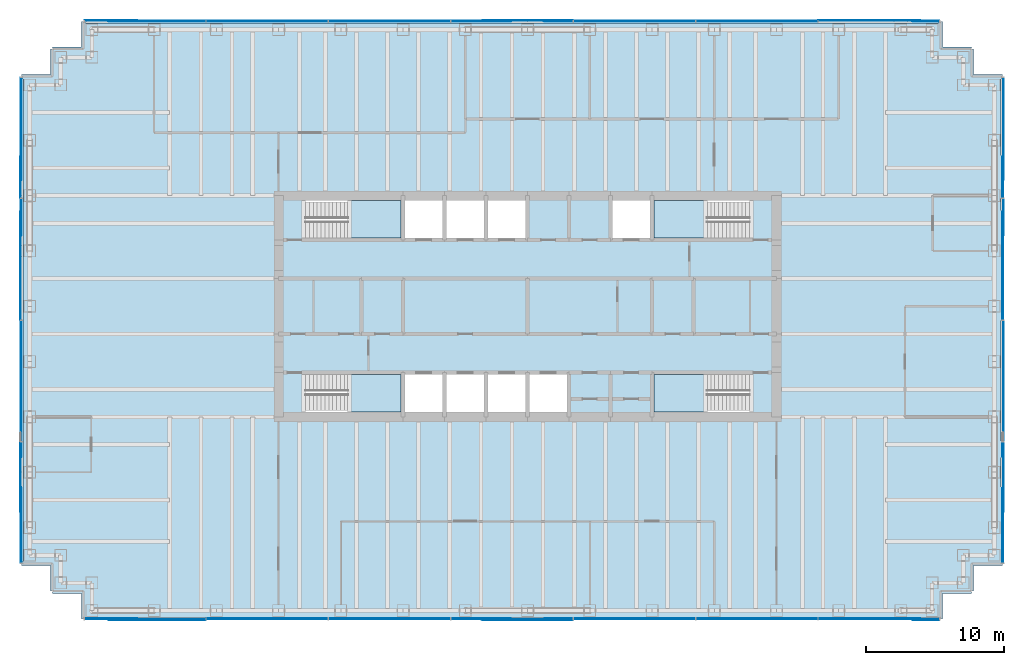
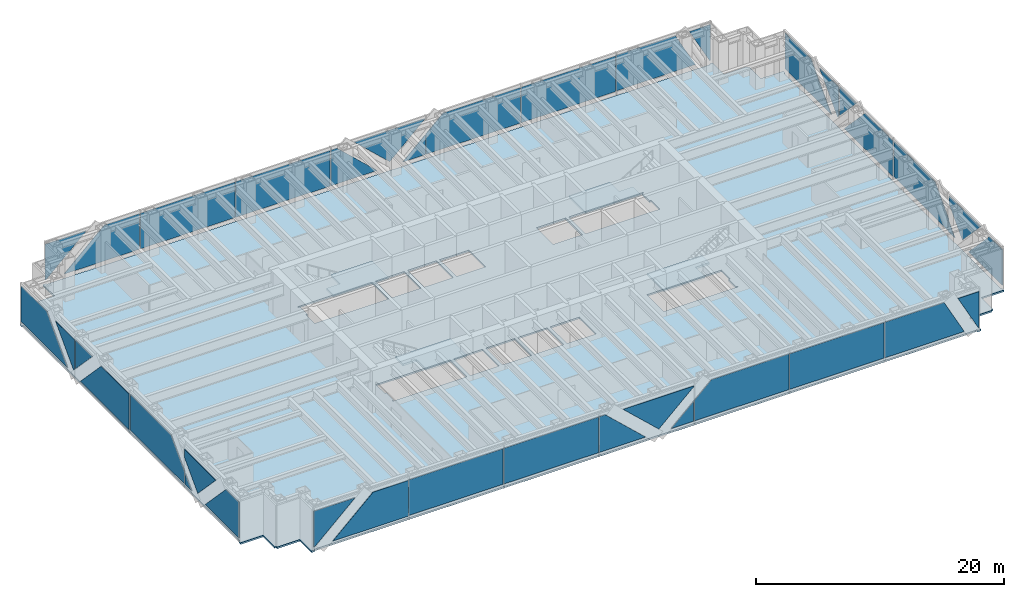
# One storey, part 10 of 17: 38 plates, 5 slabs, 8 elements without a shape of their own.
"""IFC4 building model written with IfcOpenShell, lengths in metres."""

from ifc_helpers import new_model, si_unit, direction, frame, origin, origin_2d, place, context, subcontext, project, spatial, polyline, rectangle, outline, extrude, material, layer, layer_set, type_object, element, aggregate, save


model = new_model("IFC4")

# Units and contexts
model_context = context("Model", 3, precision=1e-05, world=origin(), true_north=direction((0.0, 1.0)))
body_context = subcontext(model_context, "Body", "Model", "MODEL_VIEW")
ifc_project = project(units=[si_unit("LENGTHUNIT", "METRE"), si_unit("AREAUNIT", "SQUARE_METRE"), si_unit("VOLUMEUNIT", "CUBIC_METRE"), si_unit("PLANEANGLEUNIT", "RADIAN"), si_unit("MASSUNIT", "GRAM", prefix="KILO")], contexts=[model_context])

# Site, building, storey
site_placement = place(None, origin())
site = spatial("IfcSite", under=ifc_project, at=site_placement, CompositionType="ELEMENT")
building_placement = place(site_placement, origin())
building = spatial("IfcBuilding", under=site, at=building_placement, Name="Rheinbord Bourse Tower", CompositionType="ELEMENT")
storey_placement = place(building_placement, frame((0.0, 0.0, 304.699951171875)))
storey = spatial("IfcBuildingStorey", under=building, at=storey_placement, Name="L69", CompositionType="ELEMENT", Elevation=304.699951171875)

# Slab
ifc_material_1 = material(Name="Concrete C30/37", Category="concrete")
ifc_layer_1 = layer(ifc_material_1, 0.159912109375)
ifc_layer_set_1 = layer_set([ifc_layer_1], Name="COMPOSITE FLOOR SLAB 160")
slab_type_1 = type_object("IfcSlabType", Name="COMPOSITE FLOOR SLAB 160", PredefinedType="FLOOR", material=ifc_layer_set_1)
slab_1_placement = place(storey_placement, frame((0.0, 0.0, -0.159912109375)))
element("IfcSlab", 1, at=slab_1_placement, inside=storey, type_object=slab_type_1, Name="Floor slab L69", PredefinedType="FLOOR", context=body_context, shape_type="SweptSolid", body=[
    extrude(outline(polyline([(1.64990234375, 3.39990234375), (1.5, 3.39990234375), (1.5, 5.25), (-0.60009765625, 5.25), (-0.60009765625, 5.550048828125), (-0.5, 5.550048828125), (-0.5, 40.449951171875), (-0.60009765625, 40.449951171875), (-0.60009765625, 40.75), (1.5, 40.75), (1.5, 42.60009765625), (1.64990234375, 42.60009765625), (1.64990234375, 42.75), (3.75, 42.75), (3.75, 44.60009765625), (4.050048828125, 44.60009765625), (4.050048828125, 44.5), (65.699951171875, 44.5), (65.699951171875, 44.60009765625), (66.0, 44.60009765625), (66.0, 42.75), (68.10009765625, 42.75), (68.10009765625, 42.60009765625), (68.25, 42.60009765625), (68.25, 40.75), (70.35009765625, 40.75), (70.35009765625, 40.449951171875), (70.25, 40.449951171875), (70.25, 5.550048828125), (70.35009765625, 5.550048828125), (70.35009765625, 5.25), (68.25, 5.25), (68.25, 3.39990234375), (68.10009765625, 3.39990234375), (68.10009765625, 3.25), (66.0, 3.25), (66.0, 1.39990234375), (65.699951171875, 1.39990234375), (65.699951171875, 1.5), (4.050048828125, 1.5), (4.050048828125, 1.39990234375), (3.75, 1.39990234375), (3.75, 3.25), (1.64990234375, 3.25), (1.64990234375, 3.39990234375)]), holes=[polyline([(19.949951171875, 19.050048828125), (26.85009765625, 19.050048828125), (26.85009765625, 16.35009765625), (19.949951171875, 16.35009765625), (19.949951171875, 16.449951171875), (20.10009765625, 16.449951171875), (20.10009765625, 17.64990234375), (19.949951171875, 17.64990234375), (19.949951171875, 19.050048828125)]), polyline([(19.949951171875, 31.64990234375), (26.85009765625, 31.64990234375), (26.85009765625, 28.949951171875), (19.949951171875, 28.949951171875), (19.949951171875, 30.35009765625), (20.10009765625, 30.35009765625), (20.10009765625, 31.550048828125), (19.949951171875, 31.550048828125), (19.949951171875, 31.64990234375)]), polyline([(52.050048828125, 16.35009765625), (45.14990234375, 16.35009765625), (45.14990234375, 19.050048828125), (52.050048828125, 19.050048828125), (52.050048828125, 17.64990234375), (51.89990234375, 17.64990234375), (51.89990234375, 16.449951171875), (52.050048828125, 16.449951171875), (52.050048828125, 16.35009765625)]), polyline([(52.050048828125, 28.949951171875), (45.14990234375, 28.949951171875), (45.14990234375, 31.64990234375), (52.050048828125, 31.64990234375), (52.050048828125, 31.550048828125), (51.89990234375, 31.550048828125), (51.89990234375, 30.35009765625), (52.050048828125, 30.35009765625), (52.050048828125, 28.949951171875)]), polyline([(27.14990234375, 16.35009765625), (27.14990234375, 19.050048828125), (29.85009765625, 19.050048828125), (29.85009765625, 16.35009765625), (27.14990234375, 16.35009765625)]), polyline([(27.14990234375, 28.949951171875), (27.14990234375, 31.64990234375), (29.85009765625, 31.64990234375), (29.85009765625, 28.949951171875), (27.14990234375, 28.949951171875)]), polyline([(30.14990234375, 16.35009765625), (30.14990234375, 19.050048828125), (32.85009765625, 19.050048828125), (32.85009765625, 16.35009765625), (30.14990234375, 16.35009765625)]), polyline([(30.14990234375, 28.949951171875), (30.14990234375, 31.64990234375), (32.85009765625, 31.64990234375), (32.85009765625, 28.949951171875), (30.14990234375, 28.949951171875)]), polyline([(33.14990234375, 16.35009765625), (33.14990234375, 19.050048828125), (35.85009765625, 19.050048828125), (35.85009765625, 16.35009765625), (33.14990234375, 16.35009765625)]), polyline([(33.14990234375, 28.949951171875), (33.14990234375, 31.64990234375), (35.85009765625, 31.64990234375), (35.85009765625, 28.949951171875), (33.14990234375, 28.949951171875)]), polyline([(36.14990234375, 16.35009765625), (36.14990234375, 19.050048828125), (38.85009765625, 19.050048828125), (38.85009765625, 16.35009765625), (36.14990234375, 16.35009765625)]), polyline([(42.14990234375, 28.949951171875), (42.14990234375, 31.64990234375), (44.85009765625, 31.64990234375), (44.85009765625, 28.949951171875), (42.14990234375, 28.949951171875)])]), origin(), (0.0, 0.0, 1.0), 0.159912109375),
])

# Curtain wall, plates
ifc_material_2 = material(Name="Dark glass and black aluminium", Category="aluminium")
curtain_wall_type = type_object("IfcCurtainWallType", Name="CW3 DARK GLASS CURTAIN WALL", PredefinedType="USERDEFINED", material=ifc_material_2)
curtain_wall_1_placement = place(storey_placement, origin())
curtain_wall_1 = element("IfcCurtainWall", 2, at=curtain_wall_1_placement, inside=storey, type_object=curtain_wall_type, Name="Curtain wall CW3 S L69", ObjectType="UNITISED CURTAIN WALL", PredefinedType="USERDEFINED")
ifc_material_3 = material(Name="Dark tinted triple insulating glass", Category="glass")
ifc_layer_2 = layer(ifc_material_3, 0.055908203125)
ifc_layer_set_2 = layer_set([ifc_layer_2], Name="CW3 DARK GLASS PANEL")
plate_type = type_object("IfcPlateType", Name="CW3 DARK GLASS PANEL", PredefinedType="CURTAIN_PANEL", material=ifc_layer_set_2)
plate_1_placement = place(storey_placement, frame((17.175048828125, 1.39990234375, 0.35009765625), z_axis=(0.0, 0.0, 1.0), x_axis=(1.0, 0.0, 0.0)))
plate_1 = element("IfcPlate", 3, at=plate_1_placement, type_object=plate_type, Name="CW3 panel 2.1", PredefinedType="CURTAIN_PANEL", context=body_context, shape_type="SweptSolid", body=[
    extrude(rectangle(XDim=8.784912109375, YDim=0.055908203125, at=origin_2d()), origin(), (0.0, 0.0, 1.0), 3.5),
])
plate_2_placement = place(storey_placement, frame((26.02490234375, 1.39990234375, 0.35009765625), z_axis=(0.0, 0.0, 1.0), x_axis=(1.0, 0.0, 0.0)))
plate_2 = element("IfcPlate", 4, at=plate_2_placement, type_object=plate_type, Name="CW3 panel 3.1", PredefinedType="CURTAIN_PANEL", context=body_context, shape_type="SweptSolid", body=[
    extrude(rectangle(XDim=8.784912109375, YDim=0.055908203125, at=origin_2d()), origin(), (0.0, 0.0, 1.0), 3.5),
])
plate_3_placement = place(storey_placement, frame((52.574951171875, 1.39990234375, 0.35009765625), z_axis=(0.0, 0.0, 1.0), x_axis=(1.0, 0.0, 0.0)))
plate_3 = element("IfcPlate", 5, at=plate_3_placement, type_object=plate_type, Name="CW3 panel 6.1", PredefinedType="CURTAIN_PANEL", context=body_context, shape_type="SweptSolid", body=[
    extrude(rectangle(XDim=8.784912109375, YDim=0.055908203125, at=origin_2d()), origin(), (0.0, 0.0, 1.0), 3.5),
])
plate_4_placement = place(storey_placement, frame((3.965087890625, 1.3720703125, 0.35009765625), z_axis=(0.0, 1.0, 0.0), x_axis=(0.0, 0.0, 1.0)))
plate_4 = element("IfcPlate", 6, at=plate_4_placement, type_object=plate_type, Name="CW3 glass facet 1", PredefinedType="CURTAIN_PANEL", context=body_context, shape_type="SweptSolid", body=[
    extrude(outline(polyline([(0.0, 0.0), (3.5, 0.0), (3.5, 3.847900390625), (0.0, 0.097900390625), (0.0, 0.0)])), origin(), (0.0, 0.0, 1.0), 0.055908203125),
])
plate_5_placement = place(storey_placement, frame((12.717041015625, 1.31103515625, 3.85009765625), z_axis=(0.0, 1.0, 0.0), x_axis=(0.0, 0.0, -1.0)))
plate_5 = element("IfcPlate", 7, at=plate_5_placement, type_object=plate_type, Name="CW3 glass facet 2", PredefinedType="CURTAIN_PANEL", context=body_context, shape_type="SweptSolid", body=[
    extrude(outline(polyline([(0.0, 0.0), (3.5, 0.0), (3.5, 7.030029296875), (0.0, 3.280029296875), (0.0, 0.0)])), origin(), (0.0, 0.0, 1.0), 0.055908203125),
])
plate_6_placement = place(storey_placement, frame((30.48193359375, 1.3720703125, 0.35009765625), z_axis=(0.0, 1.0, 0.0), x_axis=(0.0, 0.0, 1.0)))
plate_6 = element("IfcPlate", 8, at=plate_6_placement, type_object=plate_type, Name="CW3 glass facet 1", PredefinedType="CURTAIN_PANEL", context=body_context, shape_type="SweptSolid", body=[
    extrude(outline(polyline([(0.0, 0.0), (3.5, 0.0), (3.5, 0.5810546875), (0.0, 4.3310546875), (0.0, 0.0)])), origin(), (0.0, 0.0, 1.0), 0.055908203125),
])
plate_7_placement = place(storey_placement, frame((39.26806640625, 1.31103515625, 3.85009765625), z_axis=(0.0, 1.0, 0.0), x_axis=(0.0, 0.0, -1.0)))
plate_7 = element("IfcPlate", 9, at=plate_7_placement, type_object=plate_type, Name="CW3 glass facet 2", PredefinedType="CURTAIN_PANEL", context=body_context, shape_type="SweptSolid", body=[
    extrude(outline(polyline([(0.0, 0.0), (0.04296875, 0.0), (3.092041015625, 3.26806640625), (0.0, 6.5810546875), (0.0, 0.0)])), origin(), (0.0, 0.0, 1.0), 0.055908203125),
])
plate_8_placement = place(storey_placement, frame((39.26806640625, 1.3720703125, 0.35009765625), z_axis=(0.0, 1.0, 0.0), x_axis=(-1.0, 0.0, 0.0)))
plate_8 = element("IfcPlate", 10, at=plate_8_placement, type_object=plate_type, Name="CW3 glass facet 3", PredefinedType="CURTAIN_PANEL", context=body_context, shape_type="SweptSolid", body=[
    extrude(outline(polyline([(0.0, 0.0), (2.0810546875, 0.0), (0.0, 1.94189453125), (0.0, 0.0)])), origin(), (0.0, 0.0, 1.0), 0.055908203125),
])
plate_9_placement = place(storey_placement, frame((48.116943359375, 1.3720703125, 3.85009765625), z_axis=(0.0, 1.0, 0.0), x_axis=(0.0, 0.0, -1.0)))
plate_9 = element("IfcPlate", 11, at=plate_9_placement, type_object=plate_type, Name="CW3 glass facet 1", PredefinedType="CURTAIN_PANEL", context=body_context, shape_type="SweptSolid", body=[
    extrude(outline(polyline([(0.0, 0.0), (3.5, 0.0), (3.5, 8.783935546875), (1.4970703125, 8.783935546875), (0.0, 7.179931640625), (0.0, 0.0)])), origin(), (0.0, 0.0, 1.0), 0.055908203125),
])
plate_10_placement = place(storey_placement, frame((57.031982421875, 1.3720703125, 0.35009765625), z_axis=(0.0, 1.0, 0.0), x_axis=(0.0, 0.0, 1.0)))
plate_10 = element("IfcPlate", 12, at=plate_10_placement, type_object=plate_type, Name="CW3 glass facet 1", PredefinedType="CURTAIN_PANEL", context=body_context, shape_type="SweptSolid", body=[
    extrude(outline(polyline([(0.0, 0.0), (3.5, 0.0), (3.5, 5.527099609375), (0.0, 7.402099609375), (0.0, 0.0)])), origin(), (0.0, 0.0, 1.0), 0.055908203125),
])
plate_11_placement = place(storey_placement, frame((65.784912109375, 1.31103515625, 3.85009765625), z_axis=(0.0, 1.0, 0.0), x_axis=(0.0, 0.0, -1.0)))
plate_11 = element("IfcPlate", 13, at=plate_11_placement, type_object=plate_type, Name="CW3 glass facet 2", PredefinedType="CURTAIN_PANEL", context=body_context, shape_type="SweptSolid", body=[
    extrude(outline(polyline([(0.0, 0.0), (3.5, 0.0), (3.5, 0.093994140625), (0.0, 1.968994140625), (0.0, 0.0)])), origin(), (0.0, 0.0, 1.0), 0.055908203125),
])
aggregate(curtain_wall_1, [plate_1, plate_2, plate_3, plate_4, plate_5, plate_6, plate_7, plate_8, plate_9, plate_10, plate_11])

curtain_wall_2_placement = place(storey_placement, origin())
curtain_wall_2 = element("IfcCurtainWall", 14, at=curtain_wall_2_placement, inside=storey, type_object=curtain_wall_type, Name="Curtain wall CW3 E L69", ObjectType="UNITISED CURTAIN WALL", PredefinedType="USERDEFINED")
plate_12_placement = place(storey_placement, frame((70.3779296875, 5.465087890625, 0.35009765625), z_axis=(-1.0, 0.0, 0.0), x_axis=(0.0, 0.0, 1.0)))
plate_12 = element("IfcPlate", 15, at=plate_12_placement, type_object=plate_type, Name="CW3 glass facet 1", PredefinedType="CURTAIN_PANEL", context=body_context, shape_type="SweptSolid", body=[
    extrude(outline(polyline([(0.0, 0.0), (3.5, 0.0), (3.5, 2.10302734375), (0.0, 5.43701171875), (0.0, 0.0)])), origin(), (0.0, 0.0, 1.0), 0.055908203125),
])
plate_13_placement = place(storey_placement, frame((70.43896484375, 14.16796875, 3.85009765625), z_axis=(-1.0, 0.0, 0.0), x_axis=(0.0, 0.0, -1.0)))
plate_13 = element("IfcPlate", 16, at=plate_13_placement, type_object=plate_type, Name="CW3 glass facet 2", PredefinedType="CURTAIN_PANEL", context=body_context, shape_type="SweptSolid", body=[
    extrude(outline(polyline([(0.0, 0.0), (0.77099609375, 0.0), (3.047119140625, 2.16796875), (0.0, 5.070068359375), (0.0, 0.0)])), origin(), (0.0, 0.0, 1.0), 0.055908203125),
])
plate_14_placement = place(storey_placement, frame((70.3779296875, 14.16796875, 0.35009765625), z_axis=(-1.0, 0.0, 0.0), x_axis=(0.0, -1.0, 0.0)))
plate_14 = element("IfcPlate", 17, at=plate_14_placement, type_object=plate_type, Name="CW3 glass facet 3", PredefinedType="CURTAIN_PANEL", context=body_context, shape_type="SweptSolid", body=[
    extrude(outline(polyline([(0.0, 0.0), (1.070068359375, 0.0), (0.0, 1.123046875), (0.0, 0.0)])), origin(), (0.0, 0.0, 1.0), 0.055908203125),
])
plate_15_placement = place(storey_placement, frame((70.43896484375, 22.968017578125, 3.85009765625), z_axis=(-1.0, 0.0, 0.0), x_axis=(0.0, 0.0, -1.0)))
plate_15 = element("IfcPlate", 18, at=plate_15_placement, type_object=plate_type, Name="CW3 glass facet 2", PredefinedType="CURTAIN_PANEL", context=body_context, shape_type="SweptSolid", body=[
    extrude(outline(polyline([(0.0, 0.0), (3.5, 0.0), (3.5, 8.736083984375), (2.30908203125, 8.736083984375), (0.0, 6.5361328125), (0.0, 0.0)])), origin(), (0.0, 0.0, 1.0), 0.055908203125),
])
plate_16_placement = place(storey_placement, frame((70.3779296875, 23.031982421875, 0.35009765625), z_axis=(-1.0, 0.0, 0.0), x_axis=(0.0, 0.0, 1.0)))
plate_16 = element("IfcPlate", 19, at=plate_16_placement, type_object=plate_type, Name="CW3 glass facet 1", PredefinedType="CURTAIN_PANEL", context=body_context, shape_type="SweptSolid", body=[
    extrude(outline(polyline([(0.0, 0.0), (3.5, 0.0), (3.5, 4.5361328125), (0.0, 7.8701171875), (0.0, 0.0)])), origin(), (0.0, 0.0, 1.0), 0.055908203125),
])
plate_17_placement = place(storey_placement, frame((70.43896484375, 31.76708984375, 3.85009765625), z_axis=(-1.0, 0.0, 0.0), x_axis=(0.0, 0.0, -1.0)))
plate_17 = element("IfcPlate", 20, at=plate_17_placement, type_object=plate_type, Name="CW3 glass facet 2", PredefinedType="CURTAIN_PANEL", context=body_context, shape_type="SweptSolid", body=[
    extrude(outline(polyline([(0.0, 0.0), (2.802978515625, 0.0), (0.0, 2.669189453125), (0.0, 0.0)])), origin(), (0.0, 0.0, 1.0), 0.055908203125),
])
plate_18_placement = place(storey_placement, frame((70.3779296875, 31.8330078125, 3.85009765625), z_axis=(-1.0, 0.0, 0.0), x_axis=(0.0, 1.0, 0.0)))
plate_18 = element("IfcPlate", 21, at=plate_18_placement, type_object=plate_type, Name="CW3 glass facet 1", PredefinedType="CURTAIN_PANEL", context=body_context, shape_type="SweptSolid", body=[
    extrude(outline(polyline([(0.0, 0.0), (3.069091796875, 0.0), (0.1669921875, 3.047119140625), (0.0, 2.87109375), (0.0, 0.0)])), origin(), (0.0, 0.0, 1.0), 0.055908203125),
])
plate_19_placement = place(storey_placement, frame((70.43896484375, 40.534912109375, 3.85009765625), z_axis=(-1.0, 0.0, 0.0), x_axis=(0.0, 0.0, -1.0)))
plate_19 = element("IfcPlate", 22, at=plate_19_placement, type_object=plate_type, Name="CW3 glass facet 2", PredefinedType="CURTAIN_PANEL", context=body_context, shape_type="SweptSolid", body=[
    extrude(outline(polyline([(0.0, 0.0), (3.5, 0.0), (3.5, 7.43701171875), (0.0, 4.10302734375), (0.0, 0.0)])), origin(), (0.0, 0.0, 1.0), 0.055908203125),
])
aggregate(curtain_wall_2, [plate_12, plate_13, plate_14, plate_15, plate_16, plate_17, plate_18, plate_19])

curtain_wall_3_placement = place(storey_placement, origin())
curtain_wall_3 = element("IfcCurtainWall", 23, at=curtain_wall_3_placement, inside=storey, type_object=curtain_wall_type, Name="Curtain wall CW3 N L69", ObjectType="UNITISED CURTAIN WALL", PredefinedType="USERDEFINED")
plate_20_placement = place(storey_placement, frame((52.574951171875, 44.60009765625, 0.35009765625), z_axis=(0.0, 0.0, 1.0), x_axis=(-1.0, 0.0, 0.0)))
plate_20 = element("IfcPlate", 24, at=plate_20_placement, type_object=plate_type, Name="CW3 panel 2.1", PredefinedType="CURTAIN_PANEL", context=body_context, shape_type="SweptSolid", body=[
    extrude(rectangle(XDim=8.784912109375, YDim=0.055908203125, at=origin_2d()), origin(), (0.0, 0.0, 1.0), 3.5),
])
plate_21_placement = place(storey_placement, frame((26.02490234375, 44.60009765625, 0.35009765625), z_axis=(0.0, 0.0, 1.0), x_axis=(-1.0, 0.0, 0.0)))
plate_21 = element("IfcPlate", 25, at=plate_21_placement, type_object=plate_type, Name="CW3 panel 5.1", PredefinedType="CURTAIN_PANEL", context=body_context, shape_type="SweptSolid", body=[
    extrude(rectangle(XDim=8.784912109375, YDim=0.055908203125, at=origin_2d()), origin(), (0.0, 0.0, 1.0), 3.5),
])
plate_22_placement = place(storey_placement, frame((17.175048828125, 44.60009765625, 0.35009765625), z_axis=(0.0, 0.0, 1.0), x_axis=(-1.0, 0.0, 0.0)))
plate_22 = element("IfcPlate", 26, at=plate_22_placement, type_object=plate_type, Name="CW3 panel 6.1", PredefinedType="CURTAIN_PANEL", context=body_context, shape_type="SweptSolid", body=[
    extrude(rectangle(XDim=8.784912109375, YDim=0.055908203125, at=origin_2d()), origin(), (0.0, 0.0, 1.0), 3.5),
])
plate_23_placement = place(storey_placement, frame((65.784912109375, 44.6279296875, 0.35009765625), z_axis=(0.0, -1.0, 0.0), x_axis=(0.0, 0.0, 1.0)))
plate_23 = element("IfcPlate", 27, at=plate_23_placement, type_object=plate_type, Name="CW3 glass facet 1", PredefinedType="CURTAIN_PANEL", context=body_context, shape_type="SweptSolid", body=[
    extrude(outline(polyline([(0.0, 0.0), (3.5, 0.0), (3.5, 1.968994140625), (0.0, 0.093994140625), (0.0, 0.0)])), origin(), (0.0, 0.0, 1.0), 0.055908203125),
])
plate_24_placement = place(storey_placement, frame((57.031982421875, 44.68896484375, 3.85009765625), z_axis=(0.0, -1.0, 0.0), x_axis=(0.0, 0.0, -1.0)))
plate_24 = element("IfcPlate", 28, at=plate_24_placement, type_object=plate_type, Name="CW3 glass facet 2", PredefinedType="CURTAIN_PANEL", context=body_context, shape_type="SweptSolid", body=[
    extrude(outline(polyline([(0.0, 0.0), (3.5, 0.0), (3.5, 7.402099609375), (0.0, 5.527099609375), (0.0, 0.0)])), origin(), (0.0, 0.0, 1.0), 0.055908203125),
])
plate_25_placement = place(storey_placement, frame((39.33203125, 44.6279296875, 0.35009765625), z_axis=(0.0, -1.0, 0.0), x_axis=(1.0, 0.0, 0.0)))
plate_25 = element("IfcPlate", 29, at=plate_25_placement, type_object=plate_type, Name="CW3 glass facet 1", PredefinedType="CURTAIN_PANEL", context=body_context, shape_type="SweptSolid", body=[
    extrude(outline(polyline([(0.0, 0.0), (8.784912109375, 0.0), (8.784912109375, 3.5), (1.60498046875, 3.5), (0.0, 2.0029296875), (0.0, 0.0)])), origin(), (0.0, 0.0, 1.0), 0.055908203125),
])
plate_26_placement = place(storey_placement, frame((39.26708984375, 44.6279296875, 0.35009765625), z_axis=(0.0, -1.0, 0.0), x_axis=(0.0, 0.0, 1.0)))
plate_26 = element("IfcPlate", 30, at=plate_26_placement, type_object=plate_type, Name="CW3 glass facet 1", PredefinedType="CURTAIN_PANEL", context=body_context, shape_type="SweptSolid", body=[
    extrude(outline(polyline([(0.0, 0.0), (1.94189453125, 0.0), (0.0, 2.080078125), (0.0, 0.0)])), origin(), (0.0, 0.0, 1.0), 0.055908203125),
])
plate_27_placement = place(storey_placement, frame((39.26708984375, 44.68896484375, 3.85009765625), z_axis=(0.0, -1.0, 0.0), x_axis=(-1.0, 0.0, 0.0)))
plate_27 = element("IfcPlate", 31, at=plate_27_placement, type_object=plate_type, Name="CW3 glass facet 2", PredefinedType="CURTAIN_PANEL", context=body_context, shape_type="SweptSolid", body=[
    extrude(outline(polyline([(0.0, 0.0), (6.580078125, 0.0), (3.26708984375, 3.092041015625), (0.0, 0.04296875), (0.0, 0.0)])), origin(), (0.0, 0.0, 1.0), 0.055908203125),
])
plate_28_placement = place(storey_placement, frame((30.48291015625, 44.6279296875, 3.85009765625), z_axis=(0.0, -1.0, 0.0), x_axis=(0.0, 0.0, -1.0)))
plate_28 = element("IfcPlate", 32, at=plate_28_placement, type_object=plate_type, Name="CW3 glass facet 3", PredefinedType="CURTAIN_PANEL", context=body_context, shape_type="SweptSolid", body=[
    extrude(outline(polyline([(0.0, 0.0), (3.5, 0.0), (3.5, 4.330078125), (0.0, 0.580078125), (0.0, 0.0)])), origin(), (0.0, 0.0, 1.0), 0.055908203125),
])
plate_29_placement = place(storey_placement, frame((12.718017578125, 44.6279296875, 0.35009765625), z_axis=(0.0, -1.0, 0.0), x_axis=(0.0, 0.0, 1.0)))
plate_29 = element("IfcPlate", 33, at=plate_29_placement, type_object=plate_type, Name="CW3 glass facet 1", PredefinedType="CURTAIN_PANEL", context=body_context, shape_type="SweptSolid", body=[
    extrude(outline(polyline([(0.0, 0.0), (3.5, 0.0), (3.5, 3.281005859375), (0.0, 7.031005859375), (0.0, 0.0)])), origin(), (0.0, 0.0, 1.0), 0.055908203125),
])
plate_30_placement = place(storey_placement, frame((3.965087890625, 44.68896484375, 3.85009765625), z_axis=(0.0, -1.0, 0.0), x_axis=(0.0, 0.0, -1.0)))
plate_30 = element("IfcPlate", 34, at=plate_30_placement, type_object=plate_type, Name="CW3 glass facet 2", PredefinedType="CURTAIN_PANEL", context=body_context, shape_type="SweptSolid", body=[
    extrude(outline(polyline([(0.0, 0.0), (3.5, 0.0), (3.5, 0.097900390625), (0.0, 3.847900390625), (0.0, 0.0)])), origin(), (0.0, 0.0, 1.0), 0.055908203125),
])
aggregate(curtain_wall_3, [plate_20, plate_21, plate_22, plate_23, plate_24, plate_25, plate_26, plate_27, plate_28, plate_29, plate_30])

curtain_wall_4_placement = place(storey_placement, origin())
curtain_wall_4 = element("IfcCurtainWall", 35, at=curtain_wall_4_placement, inside=storey, type_object=curtain_wall_type, Name="Curtain wall CW3 W L69", ObjectType="UNITISED CURTAIN WALL", PredefinedType="USERDEFINED")
plate_31_placement = place(storey_placement, frame((-0.6279296875, 40.534912109375, 0.35009765625), z_axis=(1.0, 0.0, 0.0), x_axis=(0.0, 0.0, 1.0)))
plate_31 = element("IfcPlate", 36, at=plate_31_placement, type_object=plate_type, Name="CW3 glass facet 1", PredefinedType="CURTAIN_PANEL", context=body_context, shape_type="SweptSolid", body=[
    extrude(outline(polyline([(0.0, 0.0), (3.5, 0.0), (3.5, 4.10302734375), (0.0, 7.43701171875), (0.0, 0.0)])), origin(), (0.0, 0.0, 1.0), 0.055908203125),
])
plate_32_placement = place(storey_placement, frame((-0.68896484375, 31.8330078125, 3.85009765625), z_axis=(1.0, 0.0, 0.0), x_axis=(0.0, 0.0, -1.0)))
plate_32 = element("IfcPlate", 37, at=plate_32_placement, type_object=plate_type, Name="CW3 glass facet 2", PredefinedType="CURTAIN_PANEL", context=body_context, shape_type="SweptSolid", body=[
    extrude(outline(polyline([(0.0, 0.0), (2.87109375, 0.0), (3.047119140625, 0.1669921875), (0.0, 3.069091796875), (0.0, 0.0)])), origin(), (0.0, 0.0, 1.0), 0.055908203125),
])
plate_33_placement = place(storey_placement, frame((-0.6279296875, 31.76708984375, 3.85009765625), z_axis=(1.0, 0.0, 0.0), x_axis=(0.0, -1.0, 0.0)))
plate_33 = element("IfcPlate", 38, at=plate_33_placement, type_object=plate_type, Name="CW3 glass facet 1", PredefinedType="CURTAIN_PANEL", context=body_context, shape_type="SweptSolid", body=[
    extrude(outline(polyline([(0.0, 0.0), (2.669189453125, 0.0), (0.0, 2.802978515625), (0.0, 0.0)])), origin(), (0.0, 0.0, 1.0), 0.055908203125),
])
plate_34_placement = place(storey_placement, frame((-0.68896484375, 23.031982421875, 3.85009765625), z_axis=(1.0, 0.0, 0.0), x_axis=(0.0, 0.0, -1.0)))
plate_34 = element("IfcPlate", 39, at=plate_34_placement, type_object=plate_type, Name="CW3 glass facet 2", PredefinedType="CURTAIN_PANEL", context=body_context, shape_type="SweptSolid", body=[
    extrude(outline(polyline([(0.0, 0.0), (3.5, 0.0), (3.5, 7.8701171875), (0.0, 4.5361328125), (0.0, 0.0)])), origin(), (0.0, 0.0, 1.0), 0.055908203125),
])
plate_35_placement = place(storey_placement, frame((-0.6279296875, 14.23291015625, 0.35009765625), z_axis=(1.0, 0.0, 0.0), x_axis=(0.0, 1.0, 0.0)))
plate_35 = element("IfcPlate", 40, at=plate_35_placement, type_object=plate_type, Name="CW3 glass facet 1", PredefinedType="CURTAIN_PANEL", context=body_context, shape_type="SweptSolid", body=[
    extrude(outline(polyline([(0.0, 0.0), (8.735107421875, 0.0), (8.735107421875, 3.5), (2.198974609375, 3.5), (0.0, 1.19091796875), (0.0, 0.0)])), origin(), (0.0, 0.0, 1.0), 0.055908203125),
])
plate_36_placement = place(storey_placement, frame((-0.6279296875, 14.1669921875, 0.35009765625), z_axis=(1.0, 0.0, 0.0), x_axis=(0.0, 0.0, 1.0)))
plate_36 = element("IfcPlate", 41, at=plate_36_placement, type_object=plate_type, Name="CW3 glass facet 1", PredefinedType="CURTAIN_PANEL", context=body_context, shape_type="SweptSolid", body=[
    extrude(outline(polyline([(0.0, 0.0), (1.123046875, 0.0), (0.0, 1.069091796875), (0.0, 0.0)])), origin(), (0.0, 0.0, 1.0), 0.055908203125),
])
plate_37_placement = place(storey_placement, frame((-0.68896484375, 14.1669921875, 3.85009765625), z_axis=(1.0, 0.0, 0.0), x_axis=(0.0, -1.0, 0.0)))
plate_37 = element("IfcPlate", 42, at=plate_37_placement, type_object=plate_type, Name="CW3 glass facet 2", PredefinedType="CURTAIN_PANEL", context=body_context, shape_type="SweptSolid", body=[
    extrude(outline(polyline([(0.0, 0.0), (5.069091796875, 0.0), (2.1669921875, 3.047119140625), (0.0, 0.77099609375), (0.0, 0.0)])), origin(), (0.0, 0.0, 1.0), 0.055908203125),
])
plate_38_placement = place(storey_placement, frame((-0.6279296875, 5.465087890625, 3.85009765625), z_axis=(1.0, 0.0, 0.0), x_axis=(0.0, 0.0, -1.0)))
plate_38 = element("IfcPlate", 43, at=plate_38_placement, type_object=plate_type, Name="CW3 glass facet 3", PredefinedType="CURTAIN_PANEL", context=body_context, shape_type="SweptSolid", body=[
    extrude(outline(polyline([(0.0, 0.0), (3.5, 0.0), (3.5, 5.43701171875), (0.0, 2.10302734375), (0.0, 0.0)])), origin(), (0.0, 0.0, 1.0), 0.055908203125),
])
aggregate(curtain_wall_4, [plate_31, plate_32, plate_33, plate_34, plate_35, plate_36, plate_37, plate_38])

# Stair, slab
ifc_material_4 = material(Name="Concrete C30/37", Category="concrete")
stair_type = type_object("IfcStairType", Name="CORE STAIR HALF TURN 4200", PredefinedType="HALF_TURN_STAIR", material=ifc_material_4)
stair_1_placement = place(storey_placement, origin())
stair_1 = element("IfcStair", 44, at=stair_1_placement, inside=storey, type_object=stair_type, Name="Stair ST1 L69, type CS6", PredefinedType="HALF_TURN_STAIR")
ifc_material_5 = material(Name="Concrete C30/37", Category="concrete")
ifc_layer_3 = layer(ifc_material_5, 0.199951171875)
ifc_layer_set_3 = layer_set([ifc_layer_3], Name="STAIR LANDING 200")
slab_type_2 = type_object("IfcSlabType", Name="STAIR LANDING 200", PredefinedType="LANDING", material=ifc_layer_set_3)
slab_2_placement = place(storey_placement, frame((0.0, 0.0, 1.900146484375)))
slab_2 = element("IfcSlab", 45, at=slab_2_placement, type_object=slab_type_2, Name="Half landing ST1 L69", PredefinedType="LANDING", context=body_context, shape_type="SweptSolid", body=[
    extrude(outline(polyline([(23.030029296875, 16.35009765625), (26.85009765625, 16.35009765625), (26.85009765625, 19.050048828125), (21.748046875, 19.050048828125), (21.748046875, 17.85009765625), (23.030029296875, 17.85009765625), (23.030029296875, 16.35009765625)])), origin(), (0.0, 0.0, 1.0), 0.199951171875),
])
aggregate(stair_1, [slab_2])

stair_2_placement = place(storey_placement, origin())
stair_2 = element("IfcStair", 46, at=stair_2_placement, inside=storey, type_object=stair_type, Name="Stair ST2 L69, type CS6", PredefinedType="HALF_TURN_STAIR")
slab_3_placement = place(storey_placement, frame((0.0, 0.0, 1.900146484375)))
slab_3 = element("IfcSlab", 47, at=slab_3_placement, type_object=slab_type_2, Name="Half landing ST2 L69", PredefinedType="LANDING", context=body_context, shape_type="SweptSolid", body=[
    extrude(outline(polyline([(21.748046875, 28.949951171875), (26.85009765625, 28.949951171875), (26.85009765625, 31.64990234375), (23.030029296875, 31.64990234375), (23.030029296875, 30.14990234375), (21.748046875, 30.14990234375), (21.748046875, 28.949951171875)])), origin(), (0.0, 0.0, 1.0), 0.199951171875),
])
aggregate(stair_2, [slab_3])

stair_3_placement = place(storey_placement, origin())
stair_3 = element("IfcStair", 48, at=stair_3_placement, inside=storey, type_object=stair_type, Name="Stair ST3 L69, type CS6", PredefinedType="HALF_TURN_STAIR")
slab_4_placement = place(storey_placement, frame((0.0, 0.0, 1.900146484375)))
slab_4 = element("IfcSlab", 49, at=slab_4_placement, type_object=slab_type_2, Name="Half landing ST3 L69", PredefinedType="LANDING", context=body_context, shape_type="SweptSolid", body=[
    extrude(outline(polyline([(45.14990234375, 16.35009765625), (48.969970703125, 16.35009765625), (48.969970703125, 17.85009765625), (50.251953125, 17.85009765625), (50.251953125, 19.050048828125), (45.14990234375, 19.050048828125), (45.14990234375, 16.35009765625)])), origin(), (0.0, 0.0, 1.0), 0.199951171875),
])
aggregate(stair_3, [slab_4])

stair_4_placement = place(storey_placement, origin())
stair_4 = element("IfcStair", 50, at=stair_4_placement, inside=storey, type_object=stair_type, Name="Stair ST4 L69, type CS6", PredefinedType="HALF_TURN_STAIR")
slab_5_placement = place(storey_placement, frame((0.0, 0.0, 1.900146484375)))
slab_5 = element("IfcSlab", 51, at=slab_5_placement, type_object=slab_type_2, Name="Half landing ST4 L69", PredefinedType="LANDING", context=body_context, shape_type="SweptSolid", body=[
    extrude(outline(polyline([(45.14990234375, 28.949951171875), (50.251953125, 28.949951171875), (50.251953125, 30.14990234375), (48.969970703125, 30.14990234375), (48.969970703125, 31.64990234375), (45.14990234375, 31.64990234375), (45.14990234375, 28.949951171875)])), origin(), (0.0, 0.0, 1.0), 0.199951171875),
])
aggregate(stair_4, [slab_5])

save(model, "model.ifc")
